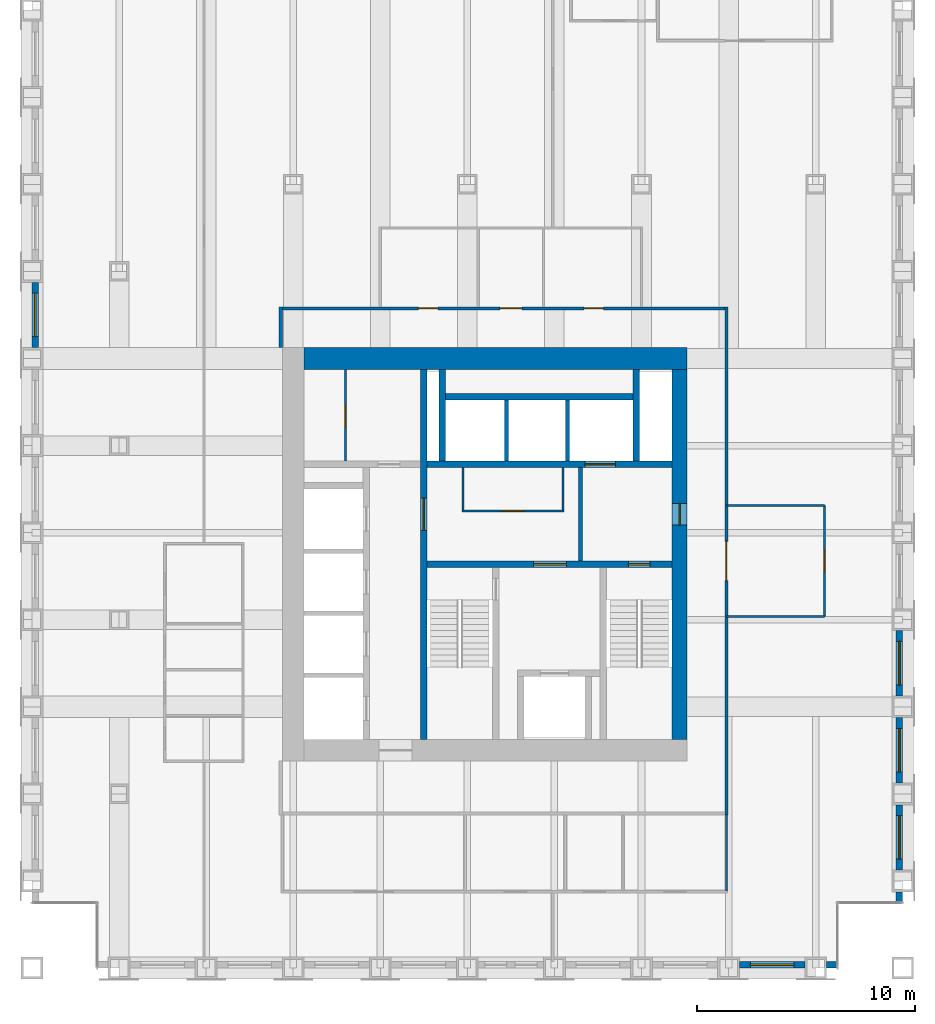
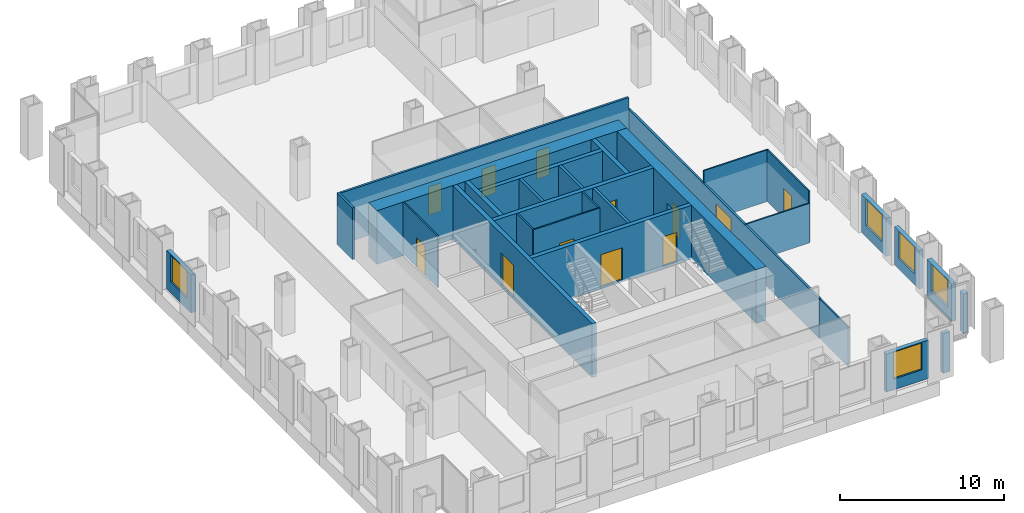
# One storey, part 10 of 13: 29 walls, 12 doors, 5 windows, 17 openings.
"""IFC4 building model written with IfcOpenShell, lengths in metres."""

from ifc_helpers import new_model, si_unit, direction, frame, frame_2d, origin, place, context, subcontext, project, spatial, rectangle, extrude, material, layer, layer_set, type_object, element, fill, save


model = new_model("IFC4")

# Units and contexts
model_context = context("Model", 3, precision=1e-05, world=origin(), true_north=direction((0.0, 1.0)))
body_context = subcontext(model_context, "Body", "Model", "MODEL_VIEW")
ifc_project = project(units=[si_unit("LENGTHUNIT", "METRE"), si_unit("AREAUNIT", "SQUARE_METRE"), si_unit("VOLUMEUNIT", "CUBIC_METRE"), si_unit("PLANEANGLEUNIT", "RADIAN"), si_unit("MASSUNIT", "GRAM", prefix="KILO")], contexts=[model_context])

# Site, building, storey
site_placement = place(None, origin())
site = spatial("IfcSite", under=ifc_project, at=site_placement, CompositionType="ELEMENT")
building_placement = place(site_placement, origin())
building = spatial("IfcBuilding", under=site, at=building_placement, Name="Rimbunsela Tower", CompositionType="ELEMENT")
storey_placement = place(building_placement, frame((0.0, 0.0, 195.800048828125)))
storey = spatial("IfcBuildingStorey", under=building, at=storey_placement, Name="L47", CompositionType="ELEMENT", Elevation=195.800048828125)

# Wall, opening, door
ifc_material_1 = material(Name="Concrete fc' 80 MPa", Category="concrete")
ifc_layer_1 = layer(ifc_material_1, 0.300048828125)
ifc_layer_set_1 = layer_set([ifc_layer_1], Name="Core internal wall 300")
wall_type_1 = type_object("IfcWallType", Name="Core internal wall 300", PredefinedType="SHEAR", material=ifc_layer_set_1)
wall_1_placement = place(storey_placement, frame((24.0, 18.5, -0.150146484375), z_axis=(0.0, 0.0, 1.0), x_axis=(0.0, 1.0, 0.0)))
wall_1 = element("IfcWall", 1, at=wall_1_placement, inside=storey, type_object=wall_type_1, Name="Core wall at stair A", PredefinedType="SHEAR", context=body_context, shape_type="SweptSolid", body=[
    extrude(rectangle(XDim=17.0, YDim=0.300048828125, at=frame_2d((8.5, 0.0))), origin(), (0.0, 0.0, 1.0), 4.0),
])
opening_1_placement = place(wall_1_placement, frame((9.60009765625, 0.0, 0.14990234375)))
opening_1 = element("IfcOpeningElement", 2, at=opening_1_placement, cuts=wall_1, Name="Opening D03", PredefinedType="OPENING", context=body_context, shape_type="SweptSolid", body=[
    extrude(rectangle(XDim=1.5, YDim=2.39990234375, at=frame_2d((0.75, 1.199951171875))), frame((0.0, 0.159912109375, 0.0), z_axis=(0.0, -1.0, 0.0), x_axis=(1.0, 0.0, 0.0)), (0.0, 0.0, 1.0), 0.320068359375),
])
ifc_material_2 = material(Name="Steel door, fire rated", Category="steel")
door_type_1 = type_object("IfcDoorType", Name="Core lobby door 1500", OperationType="DOUBLE_DOOR_DOUBLE_SWING", PredefinedType="DOOR", material=ifc_material_2)
door_1_placement = place(opening_1_placement, origin())
door_1 = element("IfcDoor", 3, at=door_1_placement, inside=storey, type_object=door_type_1, Name="West lobby door", OperationType="DOUBLE_DOOR_DOUBLE_SWING", OverallHeight=2.39990234375, OverallWidth=1.5, PredefinedType="DOOR", context=body_context, shape_type="SweptSolid", body=[
    extrude(rectangle(XDim=1.5, YDim=2.39990234375, at=frame_2d((0.75, 1.199951171875))), frame((0.0, 0.02490234375, 0.0), z_axis=(0.0, -1.0, 0.0), x_axis=(1.0, 0.0, 0.0)), (0.0, 0.0, 1.0), 0.050048828125),
])
fill(opening_1, door_1)

# Wall, openings, doors
wall_2_placement = place(storey_placement, frame((24.14990234375, 26.550048828125, -0.150146484375), z_axis=(0.0, 0.0, 1.0), x_axis=(1.0, 0.0, 0.0)))
wall_2 = element("IfcWall", 4, at=wall_2_placement, inside=storey, type_object=wall_type_1, Name="Core wall lobby south", PredefinedType="SHEAR", context=body_context, shape_type="SweptSolid", body=[
    extrude(rectangle(XDim=11.25, YDim=0.300048828125, at=frame_2d((5.625, 0.0))), origin(), (0.0, 0.0, 1.0), 4.0),
])
opening_2_placement = place(wall_2_placement, frame((9.25, 0.0, 0.14990234375)))
opening_2 = element("IfcOpeningElement", 5, at=opening_2_placement, cuts=wall_2, Name="Opening D01", PredefinedType="OPENING", context=body_context, shape_type="SweptSolid", body=[
    extrude(rectangle(XDim=1.0, YDim=2.199951171875, at=frame_2d((0.5, 1.10009765625))), frame((0.0, 0.159912109375, 0.0), z_axis=(0.0, -1.0, 0.0), x_axis=(1.0, 0.0, 0.0)), (0.0, 0.0, 1.0), 0.320068359375),
])
opening_3_placement = place(wall_2_placement, frame((4.89990234375, 0.0, 0.14990234375)))
opening_3 = element("IfcOpeningElement", 6, at=opening_3_placement, cuts=wall_2, Name="Opening D03", PredefinedType="OPENING", context=body_context, shape_type="SweptSolid", body=[
    extrude(rectangle(XDim=1.5, YDim=2.39990234375, at=frame_2d((0.75, 1.199951171875))), frame((0.0, 0.159912109375, 0.0), z_axis=(0.0, -1.0, 0.0), x_axis=(1.0, 0.0, 0.0)), (0.0, 0.0, 1.0), 0.320068359375),
])
door_2_placement = place(opening_3_placement, origin())
door_2 = element("IfcDoor", 7, at=door_2_placement, inside=storey, type_object=door_type_1, Name="Firefighting lobby door", OperationType="DOUBLE_DOOR_DOUBLE_SWING", OverallHeight=2.39990234375, OverallWidth=1.5, PredefinedType="DOOR", context=body_context, shape_type="SweptSolid", body=[
    extrude(rectangle(XDim=1.5, YDim=2.39990234375, at=frame_2d((0.75, 1.199951171875))), frame((0.0, 0.02490234375, 0.0), z_axis=(0.0, -1.0, 0.0), x_axis=(1.0, 0.0, 0.0)), (0.0, 0.0, 1.0), 0.050048828125),
])
fill(opening_3, door_2)
ifc_material_3 = material(Name="Steel door, fire rated", Category="steel")
door_type_2 = type_object("IfcDoorType", Name="Stair door 1000", OperationType="SINGLE_SWING_RIGHT", PredefinedType="DOOR", material=ifc_material_3)
door_3_placement = place(opening_2_placement, frame((1.0, 0.0, 0.0), z_axis=(0.0, 0.0, 1.0), x_axis=(-1.0, 0.0, 0.0)))
door_3 = element("IfcDoor", 8, at=door_3_placement, inside=storey, type_object=door_type_2, Name="Stair B door", OperationType="SINGLE_SWING_RIGHT", OverallHeight=2.199951171875, OverallWidth=1.0, PredefinedType="DOOR", context=body_context, shape_type="SweptSolid", body=[
    extrude(rectangle(XDim=1.0, YDim=2.199951171875, at=frame_2d((0.5, 1.10009765625))), frame((0.0, 0.02490234375, 0.0), z_axis=(0.0, -1.0, 0.0), x_axis=(1.0, 0.0, 0.0)), (0.0, 0.0, 1.0), 0.050048828125),
])
fill(opening_2, door_3)

# Wall, opening, door
wall_3_placement = place(storey_placement, frame((24.14990234375, 31.14990234375, -0.150146484375), z_axis=(0.0, 0.0, 1.0), x_axis=(1.0, 0.0, 0.0)))
wall_3 = element("IfcWall", 9, at=wall_3_placement, inside=storey, type_object=wall_type_1, Name="Lift shaft front north", PredefinedType="SHEAR", context=body_context, shape_type="SweptSolid", body=[
    extrude(rectangle(XDim=11.25, YDim=0.300048828125, at=frame_2d((5.625, 0.0))), origin(), (0.0, 0.0, 1.0), 4.0),
])
opening_4_placement = place(wall_3_placement, frame((7.25, 0.0, 0.14990234375)))
opening_4 = element("IfcOpeningElement", 10, at=opening_4_placement, cuts=wall_3, Name="Opening LD3", PredefinedType="OPENING", context=body_context, shape_type="SweptSolid", body=[
    extrude(rectangle(XDim=1.39990234375, YDim=2.39990234375, at=frame_2d((0.699951171875, 1.199951171875))), frame((0.0, 0.159912109375, 0.0), z_axis=(0.0, -1.0, 0.0), x_axis=(1.0, 0.0, 0.0)), (0.0, 0.0, 1.0), 0.320068359375),
])
ifc_material_4 = material(Name="Steel door, fire rated", Category="steel")
door_type_3 = type_object("IfcDoorType", Name="Lift landing door 1400", OperationType="DOUBLE_DOOR_SLIDING", PredefinedType="DOOR", material=ifc_material_4)
door_4_placement = place(opening_4_placement, origin())
door_4 = element("IfcDoor", 11, at=door_4_placement, inside=storey, type_object=door_type_3, Name="Lift landing door FL2", OperationType="DOUBLE_DOOR_SLIDING", OverallHeight=2.39990234375, OverallWidth=1.39990234375, PredefinedType="DOOR", context=body_context, shape_type="SweptSolid", body=[
    extrude(rectangle(XDim=1.39990234375, YDim=2.39990234375, at=frame_2d((0.699951171875, 1.199951171875))), frame((0.0, 0.02490234375, 0.0), z_axis=(0.0, -1.0, 0.0), x_axis=(1.0, 0.0, 0.0)), (0.0, 0.0, 1.0), 0.050048828125),
])
fill(opening_4, door_4)

# Walls
for number, where, z_axis, x_axis, name in (
    (12, (24.85009765625, 31.300048828125, -0.150146484375), (0.0, 0.0, 1.0), (0.0, 1.0, 0.0), "Riser wall"),
    (13, (33.75, 31.300048828125, -0.150146484375), (0.0, 0.0, 1.0), (0.0, 1.0, 0.0), "Riser wall"),
):
    element("IfcWall", number, at=place(storey_placement, frame(where, z_axis=z_axis, x_axis=x_axis)), inside=storey, type_object=wall_type_1, Name=name, PredefinedType="SHEAR", context=body_context, shape_type="SweptSolid", body=[
        extrude(rectangle(XDim=4.199951171875, YDim=0.300048828125, at=frame_2d((2.10009765625, 0.0))), origin(), (0.0, 0.0, 1.0), 4.0),
    ])
wall_4_placement = place(storey_placement, frame((25.0, 34.25, -0.150146484375), z_axis=(0.0, 0.0, 1.0), x_axis=(1.0, 0.0, 0.0)))
element("IfcWall", 14, at=wall_4_placement, inside=storey, type_object=wall_type_1, Name="Lift shaft rear north", PredefinedType="SHEAR", context=body_context, shape_type="SweptSolid", body=[
    extrude(rectangle(XDim=8.60009765625, YDim=0.300048828125, at=frame_2d((4.300048828125, 0.0))), origin(), (0.0, 0.0, 1.0), 4.0),
])

# Wall, opening, door
ifc_material_5 = material(Name="Concrete blockwork", Category="masonry")
ifc_layer_2 = layer(ifc_material_5, 0.10009765625)
ifc_layer_set_2 = layer_set([ifc_layer_2], Name="Core room partition 100")
wall_type_2 = type_object("IfcWallType", Name="Core room partition 100", PredefinedType="PARTITIONING", material=ifc_layer_set_2)
wall_5_placement = place(storey_placement, frame((20.39990234375, 31.300048828125, 0.0), z_axis=(0.0, 0.0, 1.0), x_axis=(0.0, 1.0, 0.0)))
wall_5 = element("IfcWall", 15, at=wall_5_placement, inside=storey, type_object=wall_type_2, Name="Housekeeping store wall", PredefinedType="PARTITIONING", context=body_context, shape_type="SweptSolid", body=[
    extrude(rectangle(XDim=4.199951171875, YDim=0.10009765625, at=frame_2d((2.10009765625, 0.0))), origin(), (0.0, 0.0, 1.0), 3.849853515625),
])
opening_5_placement = place(wall_5_placement, frame((1.550048828125, 0.0, 0.0)))
opening_5 = element("IfcOpeningElement", 16, at=opening_5_placement, cuts=wall_5, Name="Opening D19", PredefinedType="OPENING", context=body_context, shape_type="SweptSolid", body=[
    extrude(rectangle(XDim=1.0, YDim=2.199951171875, at=frame_2d((0.5, 1.10009765625))), frame((0.0, 0.06005859375, 0.0), z_axis=(0.0, -1.0, 0.0), x_axis=(1.0, 0.0, 0.0)), (0.0, 0.0, 1.0), 0.1201171875),
])
ifc_material_6 = material(Name="Steel door, fire rated", Category="steel")
door_type_4 = type_object("IfcDoorType", Name="Service door 1000 fire rated", OperationType="SINGLE_SWING_LEFT", PredefinedType="DOOR", material=ifc_material_6)
door_5_placement = place(opening_5_placement, origin())
door_5 = element("IfcDoor", 17, at=door_5_placement, inside=storey, type_object=door_type_4, Name="Housekeeping store door", OperationType="SINGLE_SWING_LEFT", OverallHeight=2.199951171875, OverallWidth=1.0, PredefinedType="DOOR", context=body_context, shape_type="SweptSolid", body=[
    extrude(rectangle(XDim=1.0, YDim=2.199951171875, at=frame_2d((0.5, 1.10009765625))), frame((0.0, 0.02490234375, 0.0), z_axis=(0.0, -1.0, 0.0), x_axis=(1.0, 0.0, 0.0)), (0.0, 0.0, 1.0), 0.050048828125),
])
fill(opening_5, door_5)

wall_6_placement = place(storey_placement, frame((25.75, 29.0, 0.0), z_axis=(0.0, 0.0, 1.0), x_axis=(1.0, 0.0, 0.0)))
wall_6 = element("IfcWall", 18, at=wall_6_placement, inside=storey, type_object=wall_type_2, Name="Lobby room wall", PredefinedType="PARTITIONING", context=body_context, shape_type="SweptSolid", body=[
    extrude(rectangle(XDim=4.699951171875, YDim=0.10009765625, at=frame_2d((2.35009765625, 0.0))), origin(), (0.0, 0.0, 1.0), 3.849853515625),
])
opening_6_placement = place(wall_6_placement, frame((1.85009765625, 0.0, 0.0)))
opening_6 = element("IfcOpeningElement", 19, at=opening_6_placement, cuts=wall_6, Name="Opening D19", PredefinedType="OPENING", context=body_context, shape_type="SweptSolid", body=[
    extrude(rectangle(XDim=1.0, YDim=2.199951171875, at=frame_2d((0.5, 1.10009765625))), frame((0.0, 0.06005859375, 0.0), z_axis=(0.0, -1.0, 0.0), x_axis=(1.0, 0.0, 0.0)), (0.0, 0.0, 1.0), 0.1201171875),
])
door_6_placement = place(opening_6_placement, origin())
door_6 = element("IfcDoor", 20, at=door_6_placement, inside=storey, type_object=door_type_4, Name="Tenant store door", OperationType="SINGLE_SWING_LEFT", OverallHeight=2.199951171875, OverallWidth=1.0, PredefinedType="DOOR", context=body_context, shape_type="SweptSolid", body=[
    extrude(rectangle(XDim=1.0, YDim=2.199951171875, at=frame_2d((0.5, 1.10009765625))), frame((0.0, 0.02490234375, 0.0), z_axis=(0.0, -1.0, 0.0), x_axis=(1.0, 0.0, 0.0)), (0.0, 0.0, 1.0), 0.050048828125),
])
fill(opening_6, door_6)

# Walls
for number, where, z_axis, x_axis, name in (
    (21, (25.800048828125, 29.050048828125, 0.0), (0.0, 0.0, 1.0), (0.0, 1.0, 0.0), "Lobby room wall"),
    (22, (30.39990234375, 29.050048828125, 0.0), (0.0, 0.0, 1.0), (0.0, 1.0, 0.0), "Lobby room wall"),
):
    element("IfcWall", number, at=place(storey_placement, frame(where, z_axis=z_axis, x_axis=x_axis)), inside=storey, type_object=wall_type_2, Name=name, PredefinedType="PARTITIONING", context=body_context, shape_type="SweptSolid", body=[
        extrude(rectangle(XDim=1.949951171875, YDim=0.10009765625, at=frame_2d((0.97509765625, 0.0))), origin(), (0.0, 0.0, 1.0), 3.849853515625),
    ])
ifc_material_7 = material(Name="Concrete fc' 80 MPa", Category="concrete")
ifc_layer_3 = layer(ifc_material_7, 1.0)
ifc_layer_set_3 = layer_set([ifc_layer_3], Name="Core wall 1000")
wall_type_3 = type_object("IfcWallType", Name="Core wall 1000", PredefinedType="SHEAR", material=ifc_layer_set_3)
wall_7_placement = place(storey_placement, frame((18.5, 36.0, -0.150146484375), z_axis=(0.0, 0.0, 1.0), x_axis=(1.0, 0.0, 0.0)))
element("IfcWall", 23, at=wall_7_placement, inside=storey, type_object=wall_type_3, Name="Core wall north", PredefinedType="SHEAR", context=body_context, shape_type="SweptSolid", body=[
    extrude(rectangle(XDim=17.60009765625, YDim=1.0, at=frame_2d((8.800048828125, 0.0))), origin(), (0.0, 0.0, 1.0), 4.0),
])

# Wall, opening, door
ifc_material_8 = material(Name="Concrete fc' 80 MPa", Category="concrete")
ifc_layer_4 = layer(ifc_material_8, 0.699951171875)
ifc_layer_set_4 = layer_set([ifc_layer_4], Name="Core wall 700 east")
wall_type_4 = type_object("IfcWallType", Name="Core wall 700 east", PredefinedType="SHEAR", material=ifc_layer_set_4)
wall_8_placement = place(storey_placement, frame((35.75, 18.5, -0.150146484375), z_axis=(0.0, 0.0, 1.0), x_axis=(0.0, 1.0, 0.0)))
wall_8 = element("IfcWall", 24, at=wall_8_placement, inside=storey, type_object=wall_type_4, Name="Core wall east", PredefinedType="SHEAR", context=body_context, shape_type="SweptSolid", body=[
    extrude(rectangle(XDim=17.0, YDim=0.699951171875, at=frame_2d((8.5, 0.0))), origin(), (0.0, 0.0, 1.0), 4.0),
])
opening_7_placement = place(wall_8_placement, frame((9.85009765625, 0.0, 0.14990234375)))
opening_7 = element("IfcOpeningElement", 25, at=opening_7_placement, cuts=wall_8, Name="Opening D01", PredefinedType="OPENING", context=body_context, shape_type="SweptSolid", body=[
    extrude(rectangle(XDim=1.0, YDim=2.199951171875, at=frame_2d((0.5, 1.10009765625))), frame((0.0, 0.35986328125, 0.0), z_axis=(0.0, -1.0, 0.0), x_axis=(1.0, 0.0, 0.0)), (0.0, 0.0, 1.0), 0.719970703125),
])
door_7_placement = place(opening_7_placement, origin())
door_7 = element("IfcDoor", 26, at=door_7_placement, inside=storey, type_object=door_type_2, Name="Firefighting lobby 2 door", OperationType="SINGLE_SWING_RIGHT", OverallHeight=2.199951171875, OverallWidth=1.0, PredefinedType="DOOR", context=body_context, shape_type="SweptSolid", body=[
    extrude(rectangle(XDim=1.0, YDim=2.199951171875, at=frame_2d((0.5, 1.10009765625))), frame((0.0, 0.02490234375, 0.0), z_axis=(0.0, -1.0, 0.0), x_axis=(1.0, 0.0, 0.0)), (0.0, 0.0, 1.0), 0.050048828125),
])
fill(opening_7, door_7)

# Walls
ifc_material_9 = material(Name="Concrete blockwork", Category="masonry")
ifc_layer_5 = layer(ifc_material_9, 0.199951171875)
ifc_layer_set_5 = layer_set([ifc_layer_5], Name="Lift shaft wall 200")
wall_type_5 = type_object("IfcWallType", Name="Lift shaft wall 200", PredefinedType="SOLIDWALL", material=ifc_layer_set_5)
for number, where, z_axis, x_axis, name in (
    (27, (27.800048828125, 31.300048828125, -0.150146484375), (0.0, 0.0, 1.0), (0.0, 1.0, 0.0), "Lift shaft separation"),
    (28, (30.60009765625, 31.300048828125, -0.150146484375), (0.0, 0.0, 1.0), (0.0, 1.0, 0.0), "Lift shaft separation"),
):
    element("IfcWall", number, at=place(storey_placement, frame(where, z_axis=z_axis, x_axis=x_axis)), inside=storey, type_object=wall_type_5, Name=name, PredefinedType="SOLIDWALL", context=body_context, shape_type="SweptSolid", body=[
        extrude(rectangle(XDim=2.800048828125, YDim=0.199951171875, at=frame_2d((1.39990234375, 0.0))), origin(), (0.0, 0.0, 1.0), 4.0),
    ])
wall_9_placement = place(storey_placement, frame((31.199951171875, 26.699951171875, 0.0), z_axis=(0.0, 0.0, 1.0), x_axis=(0.0, 1.0, 0.0)))
element("IfcWall", 29, at=wall_9_placement, inside=storey, type_object=wall_type_5, Name="Firefighting lobby 2 wall", PredefinedType="SOLIDWALL", context=body_context, shape_type="SweptSolid", body=[
    extrude(rectangle(XDim=4.300048828125, YDim=0.199951171875, at=frame_2d((2.14990234375, 0.0))), origin(), (0.0, 0.0, 1.0), 3.849853515625),
])
ifc_material_10 = material(Name="Gypsum board on steel studs", Category="steel")
ifc_layer_6 = layer(ifc_material_10, 0.10009765625)
ifc_layer_set_6 = layer_set([ifc_layer_6], Name="Office partition 100")
wall_type_6 = type_object("IfcWallType", Name="Office partition 100", PredefinedType="PARTITIONING", material=ifc_layer_set_6)
wall_10_placement = place(storey_placement, frame((37.89990234375, 11.550048828125, 0.0), z_axis=(0.0, 0.0, 1.0), x_axis=(0.0, 1.0, 0.0)))
element("IfcWall", 30, at=wall_10_placement, inside=storey, type_object=wall_type_6, Name="Office partition", PredefinedType="PARTITIONING", context=body_context, shape_type="SweptSolid", body=[
    extrude(rectangle(XDim=3.474853515625, YDim=0.10009765625, at=frame_2d((1.7373046875, 0.0))), origin(), (0.0, 0.0, 1.0), 2.949951171875),
])
wall_11_placement = place(storey_placement, frame((37.89990234375, 24.14990234375, 0.0), z_axis=(0.0, 0.0, 1.0), x_axis=(1.0, 0.0, 0.0)))
element("IfcWall", 31, at=wall_11_placement, inside=storey, type_object=wall_type_6, Name="Office partition", PredefinedType="PARTITIONING", context=body_context, shape_type="SweptSolid", body=[
    extrude(rectangle(XDim=4.5, YDim=0.10009765625, at=frame_2d((2.25, 0.0))), origin(), (0.0, 0.0, 1.0), 2.949951171875),
])

# Wall, opening, door
wall_12_placement = place(storey_placement, frame((42.39990234375, 24.14990234375, 0.0), z_axis=(0.0, 0.0, 1.0), x_axis=(0.0, 1.0, 0.0)))
wall_12 = element("IfcWall", 32, at=wall_12_placement, inside=storey, type_object=wall_type_6, Name="Office partition", PredefinedType="PARTITIONING", context=body_context, shape_type="SweptSolid", body=[
    extrude(rectangle(XDim=5.10009765625, YDim=0.10009765625, at=frame_2d((2.550048828125, 0.0))), origin(), (0.0, 0.0, 1.0), 3.849853515625),
])
opening_8_placement = place(wall_12_placement, frame((2.050048828125, 0.0, 0.0)))
opening_8 = element("IfcOpeningElement", 33, at=opening_8_placement, cuts=wall_12, Name="Opening D17", PredefinedType="OPENING", context=body_context, shape_type="SweptSolid", body=[
    extrude(rectangle(XDim=1.0, YDim=2.199951171875, at=frame_2d((0.5, 1.10009765625))), frame((0.0, 0.06005859375, 0.0), z_axis=(0.0, -1.0, 0.0), x_axis=(1.0, 0.0, 0.0)), (0.0, 0.0, 1.0), 0.1201171875),
])
ifc_material_11 = material(Name="Glazed aluminium door", Category="aluminium")
door_type_5 = type_object("IfcDoorType", Name="Meeting room door 1000 glazed", OperationType="SINGLE_SWING_RIGHT", PredefinedType="DOOR", material=ifc_material_11)
door_8_placement = place(opening_8_placement, origin())
door_8 = element("IfcDoor", 34, at=door_8_placement, inside=storey, type_object=door_type_5, Name="Reception door", OperationType="SINGLE_SWING_RIGHT", OverallHeight=2.199951171875, OverallWidth=1.0, PredefinedType="DOOR", context=body_context, shape_type="SweptSolid", body=[
    extrude(rectangle(XDim=1.0, YDim=2.199951171875, at=frame_2d((0.5, 1.10009765625))), frame((0.0, 0.02490234375, 0.0), z_axis=(0.0, -1.0, 0.0), x_axis=(1.0, 0.0, 0.0)), (0.0, 0.0, 1.0), 0.050048828125),
])
fill(opening_8, door_8)

# Wall
wall_13_placement = place(storey_placement, frame((42.39990234375, 29.25, 0.0), z_axis=(0.0, 0.0, 1.0), x_axis=(-1.0, 0.0, 0.0)))
element("IfcWall", 35, at=wall_13_placement, inside=storey, type_object=wall_type_6, Name="Office partition", PredefinedType="PARTITIONING", context=body_context, shape_type="SweptSolid", body=[
    extrude(rectangle(XDim=4.5, YDim=0.10009765625, at=frame_2d((2.25, 0.0))), origin(), (0.0, 0.0, 1.0), 3.849853515625),
])

# Wall, opening, window
ifc_material_12 = material(Name="Precast concrete fc' 35 MPa", Category="concrete")
ifc_layer_7 = layer(ifc_material_12, 0.300048828125)
ifc_layer_set_7 = layer_set([ifc_layer_7], Name="Precast concrete fc' 35 MPa")
wall_type_7 = type_object("IfcWallType", Name="Precast facade panel 300", PredefinedType="ELEMENTEDWALL", material=ifc_layer_set_7)
wall_14_placement = place(storey_placement, frame((38.5, 8.14990234375, 0.0), z_axis=(0.0, 0.0, 1.0), x_axis=(1.0, 0.0, 0.0)))
wall_14 = element("IfcWall", 36, at=wall_14_placement, inside=storey, type_object=wall_type_7, Name="Facade panel S L47", PredefinedType="ELEMENTEDWALL", context=body_context, shape_type="SweptSolid", body=[
    extrude(rectangle(XDim=3.0, YDim=0.300048828125, at=frame_2d((1.5, 0.0))), origin(), (0.0, 0.0, 1.0), 2.849853515625),
])
opening_9_placement = place(wall_14_placement, frame((0.5, 0.0, 0.800048828125)))
opening_9 = element("IfcOpeningElement", 37, at=opening_9_placement, cuts=wall_14, Name="Opening W1", PredefinedType="OPENING", context=body_context, shape_type="SweptSolid", body=[
    extrude(rectangle(XDim=2.0, YDim=2.0, at=frame_2d((1.0, 1.0))), frame((0.0, 0.159912109375, 0.0), z_axis=(0.0, -1.0, 0.0), x_axis=(1.0, 0.0, 0.0)), (0.0, 0.0, 1.0), 0.320068359375),
])
ifc_material_13 = material(Name="Clear glass in aluminium frame", Category="aluminium")
window_type = type_object("IfcWindowType", Name="Window W1 2000x2000", PartitioningType="DOUBLE_PANEL_VERTICAL", PredefinedType="WINDOW", material=ifc_material_13)
window_1_placement = place(opening_9_placement, origin())
window_1 = element("IfcWindow", 38, at=window_1_placement, inside=storey, type_object=window_type, Name="Window L47", OverallHeight=2.0, OverallWidth=2.0, PartitioningType="SINGLE_PANEL", PredefinedType="WINDOW", context=body_context, shape_type="SweptSolid", body=[
    extrude(rectangle(XDim=2.0, YDim=2.0, at=frame_2d((1.0, 1.0))), frame((0.0, 0.030029296875, 0.0), z_axis=(0.0, -1.0, 0.0), x_axis=(1.0, 0.0, 0.0)), (0.0, 0.0, 1.0), 0.06005859375),
])
fill(opening_9, window_1)

# Walls
for number, where, z_axis, x_axis, name in (
    (39, (42.5, 8.14990234375, 0.0), (0.0, 0.0, 1.0), (1.0, 0.0, 0.0), "Facade panel S L47"),
    (40, (45.85009765625, 11.030029296875, 0.0), (0.0, 0.0, 1.0), (0.0, 1.0, 0.0), "Facade panel E L47"),
):
    element("IfcWall", number, at=place(storey_placement, frame(where, z_axis=z_axis, x_axis=x_axis)), inside=storey, type_object=wall_type_7, Name=name, PredefinedType="ELEMENTEDWALL", context=body_context, shape_type="SweptSolid", body=[
        extrude(rectangle(XDim=0.469970703125, YDim=0.300048828125, at=frame_2d((0.23486328125, 0.0))), origin(), (0.0, 0.0, 1.0), 2.949951171875),
    ])

# Wall, opening, window
wall_15_placement = place(storey_placement, frame((45.85009765625, 12.5, 0.0), z_axis=(0.0, 0.0, 1.0), x_axis=(0.0, 1.0, 0.0)))
wall_15 = element("IfcWall", 41, at=wall_15_placement, inside=storey, type_object=wall_type_7, Name="Facade panel E L47", PredefinedType="ELEMENTEDWALL", context=body_context, shape_type="SweptSolid", body=[
    extrude(rectangle(XDim=3.0, YDim=0.300048828125, at=frame_2d((1.5, 0.0))), origin(), (0.0, 0.0, 1.0), 2.849853515625),
])
opening_10_placement = place(wall_15_placement, frame((0.5, 0.0, 0.800048828125)))
opening_10 = element("IfcOpeningElement", 42, at=opening_10_placement, cuts=wall_15, Name="Opening W1", PredefinedType="OPENING", context=body_context, shape_type="SweptSolid", body=[
    extrude(rectangle(XDim=2.0, YDim=2.0, at=frame_2d((1.0, 1.0))), frame((0.0, 0.159912109375, 0.0), z_axis=(0.0, -1.0, 0.0), x_axis=(1.0, 0.0, 0.0)), (0.0, 0.0, 1.0), 0.320068359375),
])
window_2_placement = place(opening_10_placement, origin())
window_2 = element("IfcWindow", 43, at=window_2_placement, inside=storey, type_object=window_type, Name="Window L47", OverallHeight=2.0, OverallWidth=2.0, PartitioningType="SINGLE_PANEL", PredefinedType="WINDOW", context=body_context, shape_type="SweptSolid", body=[
    extrude(rectangle(XDim=2.0, YDim=2.0, at=frame_2d((1.0, 1.0))), frame((0.0, 0.030029296875, 0.0), z_axis=(0.0, -1.0, 0.0), x_axis=(1.0, 0.0, 0.0)), (0.0, 0.0, 1.0), 0.06005859375),
])
fill(opening_10, window_2)

wall_16_placement = place(storey_placement, frame((45.85009765625, 16.5, 0.0), z_axis=(0.0, 0.0, 1.0), x_axis=(0.0, 1.0, 0.0)))
wall_16 = element("IfcWall", 44, at=wall_16_placement, inside=storey, type_object=wall_type_7, Name="Facade panel E L47", PredefinedType="ELEMENTEDWALL", context=body_context, shape_type="SweptSolid", body=[
    extrude(rectangle(XDim=3.0, YDim=0.300048828125, at=frame_2d((1.5, 0.0))), origin(), (0.0, 0.0, 1.0), 2.849853515625),
])
opening_11_placement = place(wall_16_placement, frame((0.5, 0.0, 0.800048828125)))
opening_11 = element("IfcOpeningElement", 45, at=opening_11_placement, cuts=wall_16, Name="Opening W1", PredefinedType="OPENING", context=body_context, shape_type="SweptSolid", body=[
    extrude(rectangle(XDim=2.0, YDim=2.0, at=frame_2d((1.0, 1.0))), frame((0.0, 0.159912109375, 0.0), z_axis=(0.0, -1.0, 0.0), x_axis=(1.0, 0.0, 0.0)), (0.0, 0.0, 1.0), 0.320068359375),
])
window_3_placement = place(opening_11_placement, origin())
window_3 = element("IfcWindow", 46, at=window_3_placement, inside=storey, type_object=window_type, Name="Window L47", OverallHeight=2.0, OverallWidth=2.0, PartitioningType="SINGLE_PANEL", PredefinedType="WINDOW", context=body_context, shape_type="SweptSolid", body=[
    extrude(rectangle(XDim=2.0, YDim=2.0, at=frame_2d((1.0, 1.0))), frame((0.0, 0.030029296875, 0.0), z_axis=(0.0, -1.0, 0.0), x_axis=(1.0, 0.0, 0.0)), (0.0, 0.0, 1.0), 0.06005859375),
])
fill(opening_11, window_3)

wall_17_placement = place(storey_placement, frame((45.85009765625, 20.5, 0.0), z_axis=(0.0, 0.0, 1.0), x_axis=(0.0, 1.0, 0.0)))
wall_17 = element("IfcWall", 47, at=wall_17_placement, inside=storey, type_object=wall_type_7, Name="Facade panel E L47", PredefinedType="ELEMENTEDWALL", context=body_context, shape_type="SweptSolid", body=[
    extrude(rectangle(XDim=3.0, YDim=0.300048828125, at=frame_2d((1.5, 0.0))), origin(), (0.0, 0.0, 1.0), 2.849853515625),
])
opening_12_placement = place(wall_17_placement, frame((0.5, 0.0, 0.800048828125)))
opening_12 = element("IfcOpeningElement", 48, at=opening_12_placement, cuts=wall_17, Name="Opening W1", PredefinedType="OPENING", context=body_context, shape_type="SweptSolid", body=[
    extrude(rectangle(XDim=2.0, YDim=2.0, at=frame_2d((1.0, 1.0))), frame((0.0, 0.159912109375, 0.0), z_axis=(0.0, -1.0, 0.0), x_axis=(1.0, 0.0, 0.0)), (0.0, 0.0, 1.0), 0.320068359375),
])
window_4_placement = place(opening_12_placement, origin())
window_4 = element("IfcWindow", 49, at=window_4_placement, inside=storey, type_object=window_type, Name="Window L47", OverallHeight=2.0, OverallWidth=2.0, PartitioningType="SINGLE_PANEL", PredefinedType="WINDOW", context=body_context, shape_type="SweptSolid", body=[
    extrude(rectangle(XDim=2.0, YDim=2.0, at=frame_2d((1.0, 1.0))), frame((0.0, 0.030029296875, 0.0), z_axis=(0.0, -1.0, 0.0), x_axis=(1.0, 0.0, 0.0)), (0.0, 0.0, 1.0), 0.06005859375),
])
fill(opening_12, window_4)

wall_18_placement = place(storey_placement, frame((6.14990234375, 39.5, 0.0), z_axis=(0.0, 0.0, 1.0), x_axis=(0.0, -1.0, 0.0)))
wall_18 = element("IfcWall", 50, at=wall_18_placement, inside=storey, type_object=wall_type_7, Name="Facade panel W L47", PredefinedType="ELEMENTEDWALL", context=body_context, shape_type="SweptSolid", body=[
    extrude(rectangle(XDim=3.0, YDim=0.300048828125, at=frame_2d((1.5, 0.0))), origin(), (0.0, 0.0, 1.0), 2.849853515625),
])
opening_13_placement = place(wall_18_placement, frame((0.5, 0.0, 0.800048828125)))
opening_13 = element("IfcOpeningElement", 51, at=opening_13_placement, cuts=wall_18, Name="Opening W1", PredefinedType="OPENING", context=body_context, shape_type="SweptSolid", body=[
    extrude(rectangle(XDim=2.0, YDim=2.0, at=frame_2d((1.0, 1.0))), frame((0.0, 0.159912109375, 0.0), z_axis=(0.0, -1.0, 0.0), x_axis=(1.0, 0.0, 0.0)), (0.0, 0.0, 1.0), 0.320068359375),
])
window_5_placement = place(opening_13_placement, origin())
window_5 = element("IfcWindow", 52, at=window_5_placement, inside=storey, type_object=window_type, Name="Window L47", OverallHeight=2.0, OverallWidth=2.0, PartitioningType="SINGLE_PANEL", PredefinedType="WINDOW", context=body_context, shape_type="SweptSolid", body=[
    extrude(rectangle(XDim=2.0, YDim=2.0, at=frame_2d((1.0, 1.0))), frame((0.0, 0.030029296875, 0.0), z_axis=(0.0, -1.0, 0.0), x_axis=(1.0, 0.0, 0.0)), (0.0, 0.0, 1.0), 0.06005859375),
])
fill(opening_13, window_5)

# Wall
ifc_material_14 = material(Name="Fire-rated gypsum board on steel studs, EI 60", Category="steel")
ifc_layer_8 = layer(ifc_material_14, 0.14990234375)
ifc_layer_set_8 = layer_set([ifc_layer_8], Name="Rated corridor wall 150")
wall_type_8 = type_object("IfcWallType", Name="Rated corridor wall 150", PredefinedType="PARTITIONING", material=ifc_layer_set_8)
wall_19_placement = place(storey_placement, frame((17.425048828125, 36.5, 0.0), z_axis=(0.0, 0.0, 1.0), x_axis=(0.0, 1.0, 0.0)))
element("IfcWall", 53, at=wall_19_placement, inside=storey, type_object=wall_type_8, Name="Corridor end wall north", PredefinedType="PARTITIONING", context=body_context, shape_type="SweptSolid", body=[
    extrude(rectangle(XDim=1.875, YDim=0.14990234375, at=frame_2d((0.9375, 0.0))), origin(), (0.0, 0.0, 1.0), 3.849853515625),
])

# Wall, opening, door
wall_20_placement = place(storey_placement, frame((37.89990234375, 15.02490234375, 0.0), z_axis=(0.0, 0.0, 1.0), x_axis=(0.0, 1.0, 0.0)))
wall_20 = element("IfcWall", 54, at=wall_20_placement, inside=storey, type_object=wall_type_8, Name="Corridor wall east", PredefinedType="PARTITIONING", context=body_context, shape_type="SweptSolid", body=[
    extrude(rectangle(XDim=23.35009765625, YDim=0.14990234375, at=frame_2d((11.675048828125, 0.0))), origin(), (0.0, 0.0, 1.0), 2.949951171875),
])
opening_14_placement = place(wall_20_placement, frame((10.77490234375, 0.0, 0.0)))
opening_14 = element("IfcOpeningElement", 55, at=opening_14_placement, cuts=wall_20, Name="Opening D09", PredefinedType="OPENING", context=body_context, shape_type="SweptSolid", body=[
    extrude(rectangle(XDim=1.800048828125, YDim=2.39990234375, at=frame_2d((0.89990234375, 1.199951171875))), frame((0.0, 0.0849609375, 0.0), z_axis=(0.0, -1.0, 0.0), x_axis=(1.0, 0.0, 0.0)), (0.0, 0.0, 1.0), 0.169921875),
])
ifc_material_15 = material(Name="Glazed aluminium door, fire rated", Category="aluminium")
door_type_6 = type_object("IfcDoorType", Name="Tenancy door 1800 glazed", OperationType="DOUBLE_DOOR_DOUBLE_SWING", PredefinedType="DOOR", material=ifc_material_15)
door_9_placement = place(opening_14_placement, origin())
door_9 = element("IfcDoor", 56, at=door_9_placement, inside=storey, type_object=door_type_6, Name="Tenancy door", OperationType="DOUBLE_DOOR_DOUBLE_SWING", OverallHeight=2.39990234375, OverallWidth=1.800048828125, PredefinedType="DOOR", context=body_context, shape_type="SweptSolid", body=[
    extrude(rectangle(XDim=1.800048828125, YDim=2.39990234375, at=frame_2d((0.89990234375, 1.199951171875))), frame((0.0, 0.02490234375, 0.0), z_axis=(0.0, -1.0, 0.0), x_axis=(1.0, 0.0, 0.0)), (0.0, 0.0, 1.0), 0.050048828125),
])
fill(opening_14, door_9)

# Wall, openings, doors
wall_21_placement = place(storey_placement, frame((17.5, 38.300048828125, 0.0), z_axis=(0.0, 0.0, 1.0), x_axis=(1.0, 0.0, 0.0)))
wall_21 = element("IfcWall", 57, at=wall_21_placement, inside=storey, type_object=wall_type_8, Name="Corridor wall north", PredefinedType="PARTITIONING", context=body_context, shape_type="SweptSolid", body=[
    extrude(rectangle(XDim=20.324951171875, YDim=0.14990234375, at=frame_2d((10.16259765625, 0.0))), origin(), (0.0, 0.0, 1.0), 3.849853515625),
])
opening_15_placement = place(wall_21_placement, frame((6.25, 0.0, 0.0)))
opening_15 = element("IfcOpeningElement", 58, at=opening_15_placement, cuts=wall_21, Name="Opening D04", PredefinedType="OPENING", context=body_context, shape_type="SweptSolid", body=[
    extrude(rectangle(XDim=0.89990234375, YDim=2.10009765625, at=frame_2d((0.449951171875, 1.050048828125))), frame((0.0, 0.0849609375, 0.0), z_axis=(0.0, -1.0, 0.0), x_axis=(1.0, 0.0, 0.0)), (0.0, 0.0, 1.0), 0.169921875),
])
opening_16_placement = place(wall_21_placement, frame((10.0, 0.0, 0.0)))
opening_16 = element("IfcOpeningElement", 59, at=opening_16_placement, cuts=wall_21, Name="Opening D05", PredefinedType="OPENING", context=body_context, shape_type="SweptSolid", body=[
    extrude(rectangle(XDim=1.0, YDim=2.10009765625, at=frame_2d((0.5, 1.050048828125))), frame((0.0, 0.0849609375, 0.0), z_axis=(0.0, -1.0, 0.0), x_axis=(1.0, 0.0, 0.0)), (0.0, 0.0, 1.0), 0.169921875),
])
opening_17_placement = place(wall_21_placement, frame((13.85009765625, 0.0, 0.0)))
opening_17 = element("IfcOpeningElement", 60, at=opening_17_placement, cuts=wall_21, Name="Opening D04", PredefinedType="OPENING", context=body_context, shape_type="SweptSolid", body=[
    extrude(rectangle(XDim=0.89990234375, YDim=2.10009765625, at=frame_2d((0.449951171875, 1.050048828125))), frame((0.0, 0.0849609375, 0.0), z_axis=(0.0, -1.0, 0.0), x_axis=(1.0, 0.0, 0.0)), (0.0, 0.0, 1.0), 0.169921875),
])
ifc_material_16 = material(Name="Timber door", Category="wood")
door_type_7 = type_object("IfcDoorType", Name="Accessible WC door 1000", OperationType="SLIDING_TO_LEFT", PredefinedType="DOOR", material=ifc_material_16)
door_10_placement = place(opening_16_placement, origin())
door_10 = element("IfcDoor", 61, at=door_10_placement, inside=storey, type_object=door_type_7, Name="Accessible WC door", OperationType="SLIDING_TO_LEFT", OverallHeight=2.10009765625, OverallWidth=1.0, PredefinedType="DOOR", context=body_context, shape_type="SweptSolid", body=[
    extrude(rectangle(XDim=1.0, YDim=2.10009765625, at=frame_2d((0.5, 1.050048828125))), frame((0.0, 0.02490234375, 0.0), z_axis=(0.0, -1.0, 0.0), x_axis=(1.0, 0.0, 0.0)), (0.0, 0.0, 1.0), 0.050048828125),
])
fill(opening_16, door_10)
ifc_material_17 = material(Name="Timber door", Category="wood")
door_type_8 = type_object("IfcDoorType", Name="Toilet door 900", OperationType="SINGLE_SWING_LEFT", PredefinedType="DOOR", material=ifc_material_17)
door_11_placement = place(opening_15_placement, origin())
door_11 = element("IfcDoor", 62, at=door_11_placement, inside=storey, type_object=door_type_8, Name="Female WC door", OperationType="SINGLE_SWING_LEFT", OverallHeight=2.10009765625, OverallWidth=0.89990234375, PredefinedType="DOOR", context=body_context, shape_type="SweptSolid", body=[
    extrude(rectangle(XDim=0.89990234375, YDim=2.10009765625, at=frame_2d((0.449951171875, 1.050048828125))), frame((0.0, 0.02490234375, 0.0), z_axis=(0.0, -1.0, 0.0), x_axis=(1.0, 0.0, 0.0)), (0.0, 0.0, 1.0), 0.050048828125),
])
fill(opening_15, door_11)
door_12_placement = place(opening_17_placement, origin())
door_12 = element("IfcDoor", 63, at=door_12_placement, inside=storey, type_object=door_type_8, Name="Male WC door", OperationType="SINGLE_SWING_LEFT", OverallHeight=2.10009765625, OverallWidth=0.89990234375, PredefinedType="DOOR", context=body_context, shape_type="SweptSolid", body=[
    extrude(rectangle(XDim=0.89990234375, YDim=2.10009765625, at=frame_2d((0.449951171875, 1.050048828125))), frame((0.0, 0.02490234375, 0.0), z_axis=(0.0, -1.0, 0.0), x_axis=(1.0, 0.0, 0.0)), (0.0, 0.0, 1.0), 0.050048828125),
])
fill(opening_17, door_12)

save(model, "model.ifc")
